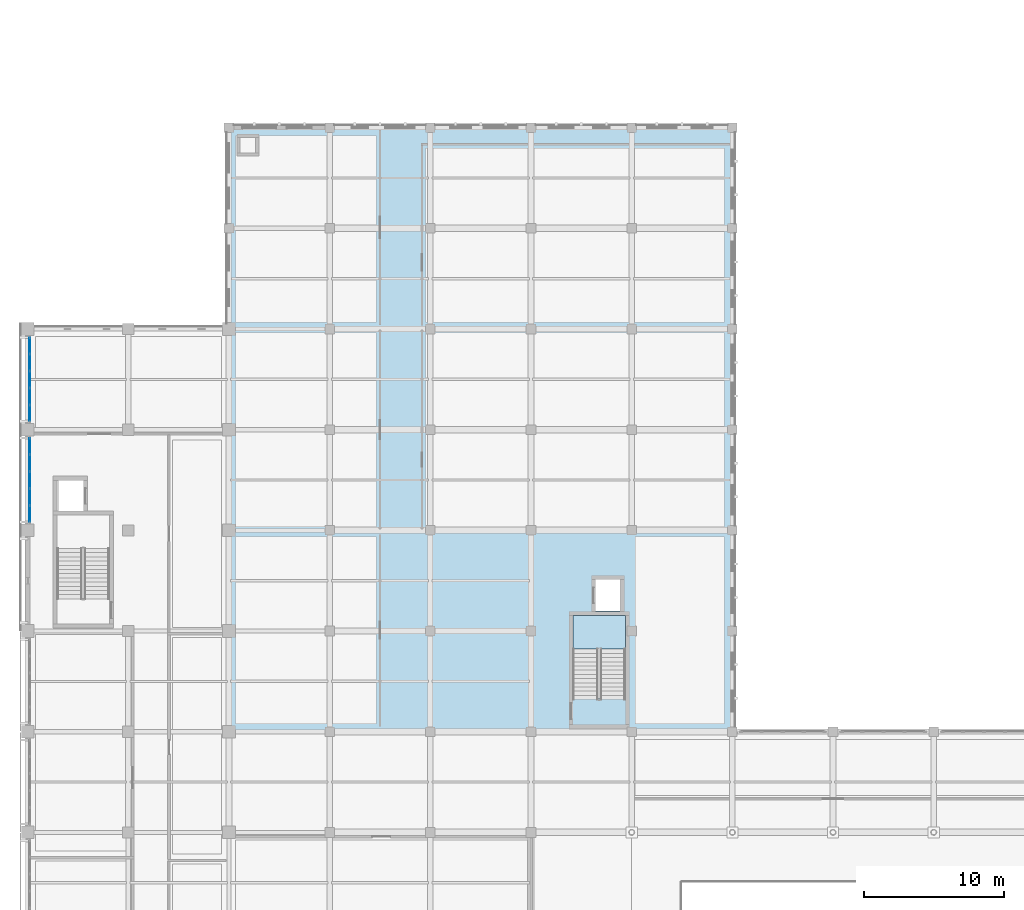
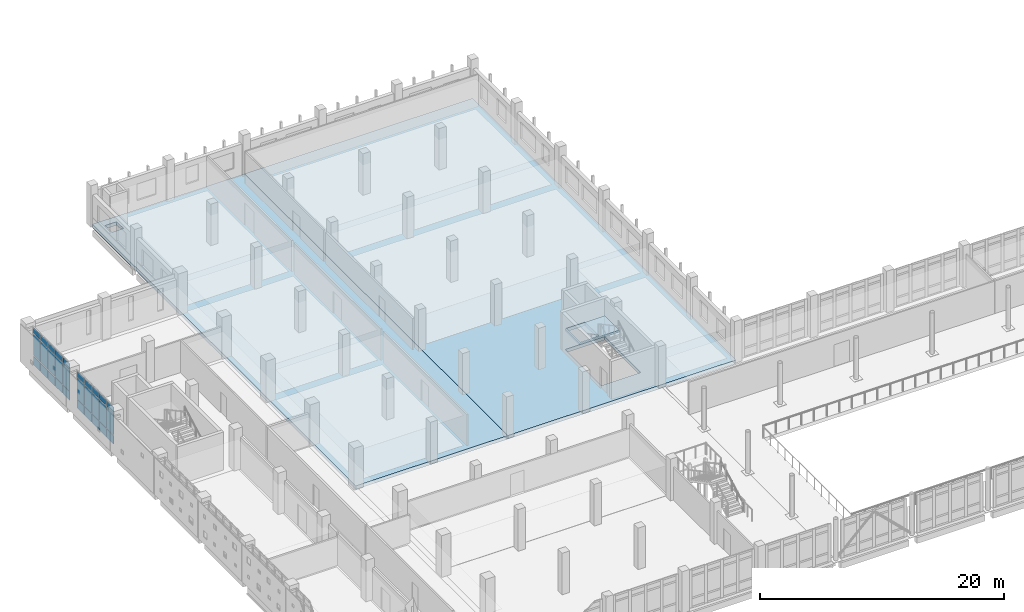
# One storey, part 33 of 62: 30 plates, 3 slabs, 3 elements without a shape of their own.
"""IFC4 building model written with IfcOpenShell, lengths in metres."""

from ifc_helpers import new_model, si_unit, direction, frame, origin, origin_2d, place, context, subcontext, project, spatial, polyline, rectangle, outline, extrude, material, layer, layer_set, type_object, element, aggregate, save


model = new_model("IFC4")

# Units and contexts
model_context = context("Model", 3, precision=1e-05, world=origin(), true_north=direction((0.0, 1.0)))
body_context = subcontext(model_context, "Body", "Model", "MODEL_VIEW")
ifc_project = project(units=[si_unit("LENGTHUNIT", "METRE"), si_unit("AREAUNIT", "SQUARE_METRE"), si_unit("VOLUMEUNIT", "CUBIC_METRE"), si_unit("PLANEANGLEUNIT", "RADIAN"), si_unit("MASSUNIT", "GRAM", prefix="KILO")], contexts=[model_context])

# Site, building, storey
site_placement = place(None, origin())
site = spatial("IfcSite", under=ifc_project, at=site_placement, CompositionType="ELEMENT")
building_placement = place(site_placement, origin())
building = spatial("IfcBuilding", under=site, at=building_placement, Name="Valkovuoma Quantum and Materials Research Institute", CompositionType="ELEMENT")
storey_placement = place(building_placement, frame((0.0, 0.0, 8.9599609375)))
storey = spatial("IfcBuildingStorey", under=building, at=storey_placement, Name="L02", CompositionType="ELEMENT", Elevation=8.9599609375)

# Curtain wall, plates
ifc_material_1 = material(Name="Thermally broken aluminium and triple low-E glazing", Category="aluminium")
ifc_layer_1 = layer(ifc_material_1, 0.219970703125)
ifc_layer_set_1 = layer_set([ifc_layer_1], Name="Thermally broken aluminium and triple low-E glazing")
curtain_wall_type = type_object("IfcCurtainWallType", Name="CW-CW-01", PredefinedType="NOTDEFINED", material=ifc_layer_set_1)
curtain_wall_1_placement = place(storey_placement, origin())
curtain_wall_1 = element("IfcCurtainWall", 1, at=curtain_wall_1_placement, inside=storey, type_object=curtain_wall_type, Name="L02 curtain wall 026", PredefinedType="NOTDEFINED")
ifc_material_2 = material(Name="Triple low-E argon insulating glass", Category="glass")
ifc_layer_2 = layer(ifc_material_2, 0.035888671875)
ifc_layer_set_2 = layer_set([ifc_layer_2], Name="Triple low-E argon insulating glass")
plate_type = type_object("IfcPlateType", Name="CWPanel-CWP-01", PredefinedType="CURTAIN_PANEL", material=ifc_layer_set_2)
plate_1_placement = place(storey_placement, frame((0.14990234375, 80.3818359375, 0.06494140625), z_axis=(0.0, 0.0, 1.0), x_axis=(0.0, 1.0, 0.0)))
plate_1 = element("IfcPlate", 2, at=plate_1_placement, type_object=plate_type, Name="CW-01 panel 1.1", PredefinedType="CURTAIN_PANEL", context=body_context, shape_type="SweptSolid", body=[
    extrude(rectangle(XDim=1.11962890625, YDim=0.035888671875, at=origin_2d()), origin(), (0.0, 0.0, 1.0), 0.8525390625),
])
plate_2_placement = place(storey_placement, frame((0.14990234375, 80.3818359375, 0.982421875), z_axis=(0.0, 0.0, 1.0), x_axis=(0.0, 1.0, 0.0)))
plate_2 = element("IfcPlate", 3, at=plate_2_placement, type_object=plate_type, Name="CW-01 panel 1.2", PredefinedType="CURTAIN_PANEL", context=body_context, shape_type="SweptSolid", body=[
    extrude(rectangle(XDim=1.11962890625, YDim=0.035888671875, at=origin_2d()), origin(), (0.0, 0.0, 1.0), 2.14501953125),
])
plate_3_placement = place(storey_placement, frame((0.14990234375, 80.3818359375, 3.1923828125), z_axis=(0.0, 0.0, 1.0), x_axis=(0.0, 1.0, 0.0)))
plate_3 = element("IfcPlate", 4, at=plate_3_placement, type_object=plate_type, Name="CW-01 panel 1.3", PredefinedType="CURTAIN_PANEL", context=body_context, shape_type="SweptSolid", body=[
    extrude(rectangle(XDim=1.11962890625, YDim=0.035888671875, at=origin_2d()), origin(), (0.0, 0.0, 1.0), 0.552490234375),
])
plate_4_placement = place(storey_placement, frame((0.14990234375, 81.582763671875, 0.06494140625), z_axis=(0.0, 0.0, 1.0), x_axis=(0.0, 1.0, 0.0)))
plate_4 = element("IfcPlate", 5, at=plate_4_placement, type_object=plate_type, Name="CW-01 panel 2.1", PredefinedType="CURTAIN_PANEL", context=body_context, shape_type="SweptSolid", body=[
    extrude(rectangle(XDim=1.152099609375, YDim=0.035888671875, at=origin_2d()), origin(), (0.0, 0.0, 1.0), 0.8525390625),
])
plate_5_placement = place(storey_placement, frame((0.14990234375, 81.582763671875, 0.982421875), z_axis=(0.0, 0.0, 1.0), x_axis=(0.0, 1.0, 0.0)))
plate_5 = element("IfcPlate", 6, at=plate_5_placement, type_object=plate_type, Name="CW-01 panel 2.2", PredefinedType="CURTAIN_PANEL", context=body_context, shape_type="SweptSolid", body=[
    extrude(rectangle(XDim=1.152099609375, YDim=0.035888671875, at=origin_2d()), origin(), (0.0, 0.0, 1.0), 2.14501953125),
])
plate_6_placement = place(storey_placement, frame((0.14990234375, 81.582763671875, 3.1923828125), z_axis=(0.0, 0.0, 1.0), x_axis=(0.0, 1.0, 0.0)))
plate_6 = element("IfcPlate", 7, at=plate_6_placement, type_object=plate_type, Name="CW-01 panel 2.3", PredefinedType="CURTAIN_PANEL", context=body_context, shape_type="SweptSolid", body=[
    extrude(rectangle(XDim=1.152099609375, YDim=0.035888671875, at=origin_2d()), origin(), (0.0, 0.0, 1.0), 0.552490234375),
])
plate_7_placement = place(storey_placement, frame((0.14990234375, 82.800048828125, 0.06494140625), z_axis=(0.0, 0.0, 1.0), x_axis=(0.0, 1.0, 0.0)))
plate_7 = element("IfcPlate", 8, at=plate_7_placement, type_object=plate_type, Name="CW-01 panel 3.1", PredefinedType="CURTAIN_PANEL", context=body_context, shape_type="SweptSolid", body=[
    extrude(rectangle(XDim=1.152099609375, YDim=0.035888671875, at=origin_2d()), origin(), (0.0, 0.0, 1.0), 0.8525390625),
])
plate_8_placement = place(storey_placement, frame((0.14990234375, 82.800048828125, 0.982421875), z_axis=(0.0, 0.0, 1.0), x_axis=(0.0, 1.0, 0.0)))
plate_8 = element("IfcPlate", 9, at=plate_8_placement, type_object=plate_type, Name="CW-01 panel 3.2", PredefinedType="CURTAIN_PANEL", context=body_context, shape_type="SweptSolid", body=[
    extrude(rectangle(XDim=1.152099609375, YDim=0.035888671875, at=origin_2d()), origin(), (0.0, 0.0, 1.0), 2.14501953125),
])
plate_9_placement = place(storey_placement, frame((0.14990234375, 82.800048828125, 3.1923828125), z_axis=(0.0, 0.0, 1.0), x_axis=(0.0, 1.0, 0.0)))
plate_9 = element("IfcPlate", 10, at=plate_9_placement, type_object=plate_type, Name="CW-01 panel 3.3", PredefinedType="CURTAIN_PANEL", context=body_context, shape_type="SweptSolid", body=[
    extrude(rectangle(XDim=1.152099609375, YDim=0.035888671875, at=origin_2d()), origin(), (0.0, 0.0, 1.0), 0.552490234375),
])
plate_10_placement = place(storey_placement, frame((0.14990234375, 84.01708984375, 0.06494140625), z_axis=(0.0, 0.0, 1.0), x_axis=(0.0, 1.0, 0.0)))
plate_10 = element("IfcPlate", 11, at=plate_10_placement, type_object=plate_type, Name="CW-01 panel 4.1", PredefinedType="CURTAIN_PANEL", context=body_context, shape_type="SweptSolid", body=[
    extrude(rectangle(XDim=1.152099609375, YDim=0.035888671875, at=origin_2d()), origin(), (0.0, 0.0, 1.0), 0.8525390625),
])
plate_11_placement = place(storey_placement, frame((0.14990234375, 84.01708984375, 0.982421875), z_axis=(0.0, 0.0, 1.0), x_axis=(0.0, 1.0, 0.0)))
plate_11 = element("IfcPlate", 12, at=plate_11_placement, type_object=plate_type, Name="CW-01 panel 4.2", PredefinedType="CURTAIN_PANEL", context=body_context, shape_type="SweptSolid", body=[
    extrude(rectangle(XDim=1.152099609375, YDim=0.035888671875, at=origin_2d()), origin(), (0.0, 0.0, 1.0), 2.14501953125),
])
plate_12_placement = place(storey_placement, frame((0.14990234375, 84.01708984375, 3.1923828125), z_axis=(0.0, 0.0, 1.0), x_axis=(0.0, 1.0, 0.0)))
plate_12 = element("IfcPlate", 13, at=plate_12_placement, type_object=plate_type, Name="CW-01 panel 4.3", PredefinedType="CURTAIN_PANEL", context=body_context, shape_type="SweptSolid", body=[
    extrude(rectangle(XDim=1.152099609375, YDim=0.035888671875, at=origin_2d()), origin(), (0.0, 0.0, 1.0), 0.552490234375),
])
plate_13_placement = place(storey_placement, frame((0.14990234375, 85.218017578125, 0.06494140625), z_axis=(0.0, 0.0, 1.0), x_axis=(0.0, 1.0, 0.0)))
plate_13 = element("IfcPlate", 14, at=plate_13_placement, type_object=plate_type, Name="CW-01 panel 5.1", PredefinedType="CURTAIN_PANEL", context=body_context, shape_type="SweptSolid", body=[
    extrude(rectangle(XDim=1.11962890625, YDim=0.035888671875, at=origin_2d()), origin(), (0.0, 0.0, 1.0), 0.8525390625),
])
plate_14_placement = place(storey_placement, frame((0.14990234375, 85.218017578125, 0.982421875), z_axis=(0.0, 0.0, 1.0), x_axis=(0.0, 1.0, 0.0)))
plate_14 = element("IfcPlate", 15, at=plate_14_placement, type_object=plate_type, Name="CW-01 panel 5.2", PredefinedType="CURTAIN_PANEL", context=body_context, shape_type="SweptSolid", body=[
    extrude(rectangle(XDim=1.11962890625, YDim=0.035888671875, at=origin_2d()), origin(), (0.0, 0.0, 1.0), 2.14501953125),
])
plate_15_placement = place(storey_placement, frame((0.14990234375, 85.218017578125, 3.1923828125), z_axis=(0.0, 0.0, 1.0), x_axis=(0.0, 1.0, 0.0)))
plate_15 = element("IfcPlate", 16, at=plate_15_placement, type_object=plate_type, Name="CW-01 panel 5.3", PredefinedType="CURTAIN_PANEL", context=body_context, shape_type="SweptSolid", body=[
    extrude(rectangle(XDim=1.11962890625, YDim=0.035888671875, at=origin_2d()), origin(), (0.0, 0.0, 1.0), 0.552490234375),
])
aggregate(curtain_wall_1, [plate_1, plate_2, plate_3, plate_4, plate_5, plate_6, plate_7, plate_8, plate_9, plate_10, plate_11, plate_12, plate_13, plate_14, plate_15])

curtain_wall_2_placement = place(storey_placement, origin())
curtain_wall_2 = element("IfcCurtainWall", 17, at=curtain_wall_2_placement, inside=storey, type_object=curtain_wall_type, Name="L02 curtain wall 027", PredefinedType="NOTDEFINED")
plate_16_placement = place(storey_placement, frame((0.14990234375, 87.58203125, 0.06494140625), z_axis=(0.0, 0.0, 1.0), x_axis=(0.0, 1.0, 0.0)))
plate_16 = element("IfcPlate", 18, at=plate_16_placement, type_object=plate_type, Name="CW-01 panel 1.1", PredefinedType="CURTAIN_PANEL", context=body_context, shape_type="SweptSolid", body=[
    extrude(rectangle(XDim=1.11962890625, YDim=0.035888671875, at=origin_2d()), origin(), (0.0, 0.0, 1.0), 0.8525390625),
])
plate_17_placement = place(storey_placement, frame((0.14990234375, 87.58203125, 0.982421875), z_axis=(0.0, 0.0, 1.0), x_axis=(0.0, 1.0, 0.0)))
plate_17 = element("IfcPlate", 19, at=plate_17_placement, type_object=plate_type, Name="CW-01 panel 1.2", PredefinedType="CURTAIN_PANEL", context=body_context, shape_type="SweptSolid", body=[
    extrude(rectangle(XDim=1.11962890625, YDim=0.035888671875, at=origin_2d()), origin(), (0.0, 0.0, 1.0), 2.14501953125),
])
plate_18_placement = place(storey_placement, frame((0.14990234375, 87.58203125, 3.1923828125), z_axis=(0.0, 0.0, 1.0), x_axis=(0.0, 1.0, 0.0)))
plate_18 = element("IfcPlate", 20, at=plate_18_placement, type_object=plate_type, Name="CW-01 panel 1.3", PredefinedType="CURTAIN_PANEL", context=body_context, shape_type="SweptSolid", body=[
    extrude(rectangle(XDim=1.11962890625, YDim=0.035888671875, at=origin_2d()), origin(), (0.0, 0.0, 1.0), 0.552490234375),
])
plate_19_placement = place(storey_placement, frame((0.14990234375, 88.782958984375, 0.06494140625), z_axis=(0.0, 0.0, 1.0), x_axis=(0.0, 1.0, 0.0)))
plate_19 = element("IfcPlate", 21, at=plate_19_placement, type_object=plate_type, Name="CW-01 panel 2.1", PredefinedType="CURTAIN_PANEL", context=body_context, shape_type="SweptSolid", body=[
    extrude(rectangle(XDim=1.152099609375, YDim=0.035888671875, at=origin_2d()), origin(), (0.0, 0.0, 1.0), 0.8525390625),
])
plate_20_placement = place(storey_placement, frame((0.14990234375, 88.782958984375, 0.982421875), z_axis=(0.0, 0.0, 1.0), x_axis=(0.0, 1.0, 0.0)))
plate_20 = element("IfcPlate", 22, at=plate_20_placement, type_object=plate_type, Name="CW-01 panel 2.2", PredefinedType="CURTAIN_PANEL", context=body_context, shape_type="SweptSolid", body=[
    extrude(rectangle(XDim=1.152099609375, YDim=0.035888671875, at=origin_2d()), origin(), (0.0, 0.0, 1.0), 2.14501953125),
])
plate_21_placement = place(storey_placement, frame((0.14990234375, 88.782958984375, 3.1923828125), z_axis=(0.0, 0.0, 1.0), x_axis=(0.0, 1.0, 0.0)))
plate_21 = element("IfcPlate", 23, at=plate_21_placement, type_object=plate_type, Name="CW-01 panel 2.3", PredefinedType="CURTAIN_PANEL", context=body_context, shape_type="SweptSolid", body=[
    extrude(rectangle(XDim=1.152099609375, YDim=0.035888671875, at=origin_2d()), origin(), (0.0, 0.0, 1.0), 0.552490234375),
])
plate_22_placement = place(storey_placement, frame((0.14990234375, 90.0, 0.06494140625), z_axis=(0.0, 0.0, 1.0), x_axis=(0.0, 1.0, 0.0)))
plate_22 = element("IfcPlate", 24, at=plate_22_placement, type_object=plate_type, Name="CW-01 panel 3.1", PredefinedType="CURTAIN_PANEL", context=body_context, shape_type="SweptSolid", body=[
    extrude(rectangle(XDim=1.152099609375, YDim=0.035888671875, at=origin_2d()), origin(), (0.0, 0.0, 1.0), 0.8525390625),
])
plate_23_placement = place(storey_placement, frame((0.14990234375, 90.0, 0.982421875), z_axis=(0.0, 0.0, 1.0), x_axis=(0.0, 1.0, 0.0)))
plate_23 = element("IfcPlate", 25, at=plate_23_placement, type_object=plate_type, Name="CW-01 panel 3.2", PredefinedType="CURTAIN_PANEL", context=body_context, shape_type="SweptSolid", body=[
    extrude(rectangle(XDim=1.152099609375, YDim=0.035888671875, at=origin_2d()), origin(), (0.0, 0.0, 1.0), 2.14501953125),
])
plate_24_placement = place(storey_placement, frame((0.14990234375, 90.0, 3.1923828125), z_axis=(0.0, 0.0, 1.0), x_axis=(0.0, 1.0, 0.0)))
plate_24 = element("IfcPlate", 26, at=plate_24_placement, type_object=plate_type, Name="CW-01 panel 3.3", PredefinedType="CURTAIN_PANEL", context=body_context, shape_type="SweptSolid", body=[
    extrude(rectangle(XDim=1.152099609375, YDim=0.035888671875, at=origin_2d()), origin(), (0.0, 0.0, 1.0), 0.552490234375),
])
plate_25_placement = place(storey_placement, frame((0.14990234375, 91.217041015625, 0.06494140625), z_axis=(0.0, 0.0, 1.0), x_axis=(0.0, 1.0, 0.0)))
plate_25 = element("IfcPlate", 27, at=plate_25_placement, type_object=plate_type, Name="CW-01 panel 4.1", PredefinedType="CURTAIN_PANEL", context=body_context, shape_type="SweptSolid", body=[
    extrude(rectangle(XDim=1.152099609375, YDim=0.035888671875, at=origin_2d()), origin(), (0.0, 0.0, 1.0), 0.8525390625),
])
plate_26_placement = place(storey_placement, frame((0.14990234375, 91.217041015625, 0.982421875), z_axis=(0.0, 0.0, 1.0), x_axis=(0.0, 1.0, 0.0)))
plate_26 = element("IfcPlate", 28, at=plate_26_placement, type_object=plate_type, Name="CW-01 panel 4.2", PredefinedType="CURTAIN_PANEL", context=body_context, shape_type="SweptSolid", body=[
    extrude(rectangle(XDim=1.152099609375, YDim=0.035888671875, at=origin_2d()), origin(), (0.0, 0.0, 1.0), 2.14501953125),
])
plate_27_placement = place(storey_placement, frame((0.14990234375, 91.217041015625, 3.1923828125), z_axis=(0.0, 0.0, 1.0), x_axis=(0.0, 1.0, 0.0)))
plate_27 = element("IfcPlate", 29, at=plate_27_placement, type_object=plate_type, Name="CW-01 panel 4.3", PredefinedType="CURTAIN_PANEL", context=body_context, shape_type="SweptSolid", body=[
    extrude(rectangle(XDim=1.152099609375, YDim=0.035888671875, at=origin_2d()), origin(), (0.0, 0.0, 1.0), 0.552490234375),
])
plate_28_placement = place(storey_placement, frame((0.14990234375, 92.41796875, 0.06494140625), z_axis=(0.0, 0.0, 1.0), x_axis=(0.0, 1.0, 0.0)))
plate_28 = element("IfcPlate", 30, at=plate_28_placement, type_object=plate_type, Name="CW-01 panel 5.1", PredefinedType="CURTAIN_PANEL", context=body_context, shape_type="SweptSolid", body=[
    extrude(rectangle(XDim=1.11962890625, YDim=0.035888671875, at=origin_2d()), origin(), (0.0, 0.0, 1.0), 0.8525390625),
])
plate_29_placement = place(storey_placement, frame((0.14990234375, 92.41796875, 0.982421875), z_axis=(0.0, 0.0, 1.0), x_axis=(0.0, 1.0, 0.0)))
plate_29 = element("IfcPlate", 31, at=plate_29_placement, type_object=plate_type, Name="CW-01 panel 5.2", PredefinedType="CURTAIN_PANEL", context=body_context, shape_type="SweptSolid", body=[
    extrude(rectangle(XDim=1.11962890625, YDim=0.035888671875, at=origin_2d()), origin(), (0.0, 0.0, 1.0), 2.14501953125),
])
plate_30_placement = place(storey_placement, frame((0.14990234375, 92.41796875, 3.1923828125), z_axis=(0.0, 0.0, 1.0), x_axis=(0.0, 1.0, 0.0)))
plate_30 = element("IfcPlate", 32, at=plate_30_placement, type_object=plate_type, Name="CW-01 panel 5.3", PredefinedType="CURTAIN_PANEL", context=body_context, shape_type="SweptSolid", body=[
    extrude(rectangle(XDim=1.11962890625, YDim=0.035888671875, at=origin_2d()), origin(), (0.0, 0.0, 1.0), 0.552490234375),
])
aggregate(curtain_wall_2, [plate_16, plate_17, plate_18, plate_19, plate_20, plate_21, plate_22, plate_23, plate_24, plate_25, plate_26, plate_27, plate_28, plate_29, plate_30])

# Slabs
ifc_material_3 = material(Name="Concrete C40/50", Category="concrete")
ifc_layer_3 = layer(ifc_material_3, 0.35009765625)
ifc_layer_set_3 = layer_set([ifc_layer_3], Name="Concrete C40/50")
slab_type_1 = type_object("IfcSlabType", Name="Slab-SL-FL350", PredefinedType="FLOOR", material=ifc_layer_set_3)
slab_1_placement = place(storey_placement, frame((0.0, 0.0, -0.349853515625)))
element("IfcSlab", 33, at=slab_1_placement, inside=storey, type_object=slab_type_1, Name="L02 vol3_cleanroom structural slab 1", PredefinedType="FLOOR", context=body_context, shape_type="SweptSolid", body=[
    extrude(outline(polyline([(14.39990234375, 64.800048828125), (28.800048828125, 64.800048828125), (28.800048828125, 108.0), (14.39990234375, 108.0), (14.39990234375, 64.800048828125)]), holes=[polyline([(15.199951171875, 106.199951171875), (16.300048828125, 106.199951171875), (16.300048828125, 107.300048828125), (15.199951171875, 107.300048828125), (15.199951171875, 106.199951171875)])]), origin(), (0.0, 0.0, 1.0), 0.349853515625),
])
slab_2_placement = place(storey_placement, frame((0.0, 0.0, -0.349853515625)))
element("IfcSlab", 34, at=slab_2_placement, inside=storey, type_object=slab_type_1, Name="L02 vol3_cleanroom structural slab 2", PredefinedType="FLOOR", context=body_context, shape_type="SweptSolid", body=[
    extrude(outline(polyline([(28.800048828125, 64.800048828125), (50.39990234375, 64.800048828125), (50.39990234375, 108.0), (28.800048828125, 108.0), (28.800048828125, 64.800048828125)]), holes=[polyline([(39.0, 67.159912109375), (42.75, 67.159912109375), (42.75, 73.10009765625), (39.0, 73.10009765625), (39.0, 67.159912109375)]), polyline([(40.6201171875, 73.419921875), (42.3798828125, 73.419921875), (42.3798828125, 75.679931640625), (40.6201171875, 75.679931640625), (40.6201171875, 73.419921875)])]), origin(), (0.0, 0.0, 1.0), 0.349853515625),
])

# Stair, slab
ifc_material_4 = material(Name="Concrete C40/50", Category="concrete")
stair_type = type_object("IfcStairType", Name="Stair-ST-COR", PredefinedType="HALF_TURN_STAIR", material=ifc_material_4)
stair_placement = place(storey_placement, origin())
stair = element("IfcStair", 35, at=stair_placement, inside=storey, type_object=stair_type, Name="L02 Exit Stair ST-4", PredefinedType="HALF_TURN_STAIR")
ifc_material_5 = material(Name="Concrete C40/50", Category="concrete")
ifc_layer_4 = layer(ifc_material_5, 0.199951171875)
ifc_layer_set_4 = layer_set([ifc_layer_4], Name="Concrete C40/50")
slab_type_2 = type_object("IfcSlabType", Name="Slab-SL-LND200", PredefinedType="LANDING", material=ifc_layer_set_4)
slab_3_placement = place(storey_placement, frame((0.0, 0.0, 1.880126953125)))
slab_3 = element("IfcSlab", 36, at=slab_3_placement, type_object=slab_type_2, Name="ST-4 landing 1", PredefinedType="LANDING", context=body_context, shape_type="SweptSolid", body=[
    extrude(outline(polyline([(42.75, 70.699951171875), (42.75, 73.10009765625), (39.0, 73.10009765625), (39.0, 70.699951171875), (42.75, 70.699951171875)])), origin(), (0.0, 0.0, 1.0), 0.199951171875),
])
aggregate(stair, [slab_3])

save(model, "model.ifc")
